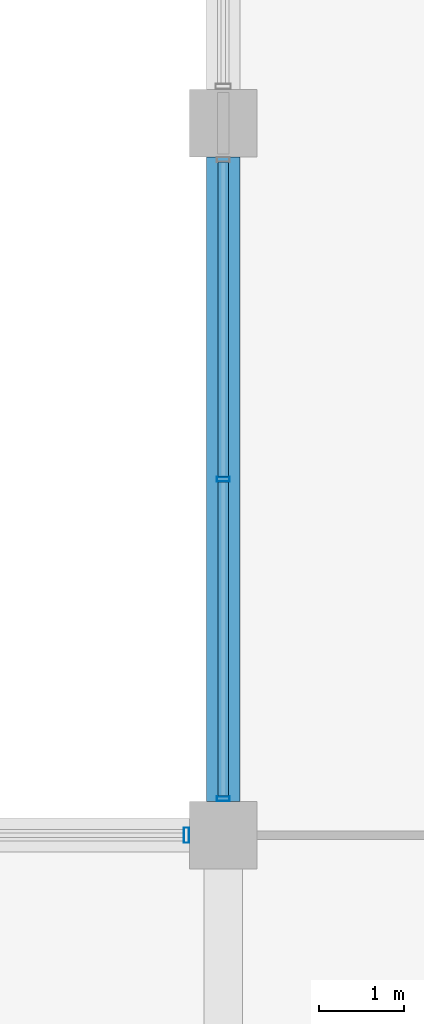
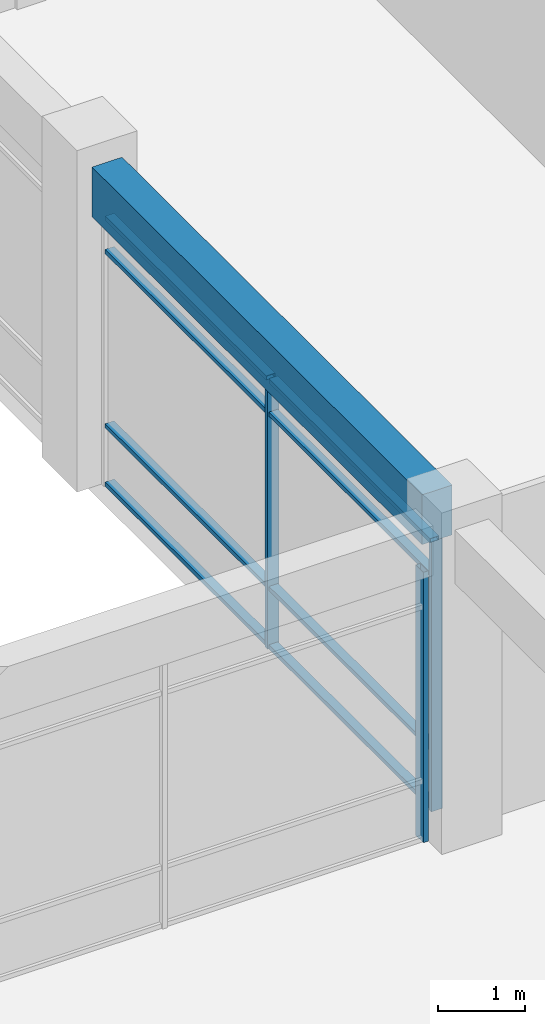
# One storey, part 31 of 62: 11 members, 1 beam, 2 elements without a shape of their own.
"""IFC4 building model written with IfcOpenShell, lengths in metres."""

from ifc_helpers import new_model, si_unit, direction, frame, origin, origin_2d, place, context, subcontext, project, spatial, rectangle, hollow_rectangle, extrude, material, material_profile, profile_set, type_object, element, aggregate, save


model = new_model("IFC4")

# Units and contexts
model_context = context("Model", 3, precision=1e-05, world=origin(), true_north=direction((0.0, 1.0)))
body_context = subcontext(model_context, "Body", "Model", "MODEL_VIEW")
ifc_project = project(units=[si_unit("LENGTHUNIT", "METRE"), si_unit("AREAUNIT", "SQUARE_METRE"), si_unit("VOLUMEUNIT", "CUBIC_METRE"), si_unit("PLANEANGLEUNIT", "RADIAN"), si_unit("MASSUNIT", "GRAM", prefix="KILO"), si_unit("THERMODYNAMICTEMPERATUREUNIT", "KELVIN"), si_unit("POWERUNIT", "WATT")], contexts=[model_context])

# Site, building, storey
site_placement = place(None, origin())
site = spatial("IfcSite", under=ifc_project, at=site_placement, CompositionType="ELEMENT")
building_placement = place(site_placement, origin())
building = spatial("IfcBuilding", under=site, at=building_placement, Name="Srebrne Nadtorze General Hospital", CompositionType="ELEMENT")
storey_placement = place(building_placement, frame((0.0, 0.0, 9.60009765625)))
storey = spatial("IfcBuildingStorey", under=building, at=storey_placement, Name="L02", CompositionType="ELEMENT", Elevation=9.60009765625)

# Curtain wall, members
ifc_material_1 = material(Name="Anodised Aluminium", Category="aluminium")
curtain_wall_type_1 = type_object("IfcCurtainWallType", Name="Unitised curtain wall 7600x3800", PredefinedType="NOTDEFINED", material=ifc_material_1)
curtain_wall_1_placement = place(storey_placement, origin())
curtain_wall_1 = element("IfcCurtainWall", 1, at=curtain_wall_1_placement, inside=storey, type_object=curtain_wall_type_1, Name="Curtain wall CW-088", PredefinedType="NOTDEFINED")
ifc_material_2 = material(Name="Anodised Aluminium", Category="aluminium")
ifc_material_profile_1 = material_profile(ifc_material_2, hollow_rectangle(XDim=0.06005859375, YDim=0.14990234375, WallThickness=0.00390625, at=origin_2d()), Name="AL-MUL-60x150")
ifc_profile_set_1 = profile_set([ifc_material_profile_1], Name="Anodised Aluminium")
member_type_1 = type_object("IfcMemberType", Name="Curtain mullion 60x150", PredefinedType="MULLION", material=ifc_profile_set_1)
member_1_placement = place(storey_placement, frame((132.60009765625, 8.830078125, 0.0), z_axis=(0.0, 0.0, 1.0), x_axis=(0.0, 1.0, 0.0)))
member_1 = element("IfcMember", 2, at=member_1_placement, type_object=member_type_1, Name="CW-088 mullion 1", PredefinedType="MULLION", context=body_context, shape_type="SweptSolid", body=[
    extrude(hollow_rectangle(XDim=0.06005859375, YDim=0.14990234375, WallThickness=0.00390625, at=origin_2d()), origin(), (0.0, 0.0, 1.0), 3.7998046875),
])
member_2_placement = place(storey_placement, frame((132.60009765625, 12.60009765625, 0.0), z_axis=(0.0, 0.0, 1.0), x_axis=(0.0, 1.0, 0.0)))
member_2 = element("IfcMember", 3, at=member_2_placement, type_object=member_type_1, Name="CW-088 mullion 2", PredefinedType="MULLION", context=body_context, shape_type="SweptSolid", body=[
    extrude(hollow_rectangle(XDim=0.06005859375, YDim=0.14990234375, WallThickness=0.00390625, at=origin_2d()), origin(), (0.0, 0.0, 1.0), 3.7998046875),
])

# Curtain wall, member
ifc_material_3 = material(Name="Anodised Aluminium", Category="aluminium")
curtain_wall_type_2 = type_object("IfcCurtainWallType", Name="Unitised curtain wall 7000x3800", PredefinedType="NOTDEFINED", material=ifc_material_3)
curtain_wall_2_placement = place(storey_placement, origin())
curtain_wall_2 = element("IfcCurtainWall", 4, at=curtain_wall_2_placement, inside=storey, type_object=curtain_wall_type_2, Name="Curtain wall CW-073", PredefinedType="NOTDEFINED")
ifc_material_4 = material(Name="Anodised Aluminium", Category="aluminium")
ifc_material_profile_2 = material_profile(ifc_material_4, hollow_rectangle(XDim=0.06494140625, YDim=0.179931640625, WallThickness=0.00390625, at=origin_2d()), Name="AL-MUL-65x180")
ifc_profile_set_2 = profile_set([ifc_material_profile_2], Name="Anodised Aluminium")
member_type_2 = type_object("IfcMemberType", Name="Curtain mullion 65x180", PredefinedType="MULLION", material=ifc_profile_set_2)
member_3_placement = place(storey_placement, frame((132.16748046875, 8.39990234375, 0.0), z_axis=(0.0, 0.0, 1.0), x_axis=(1.0, 0.0, 0.0)))
member_3 = element("IfcMember", 5, at=member_3_placement, type_object=member_type_2, Name="CW-073 mullion 3", PredefinedType="MULLION", context=body_context, shape_type="SweptSolid", body=[
    extrude(hollow_rectangle(XDim=0.06494140625, YDim=0.179931640625, WallThickness=0.00390625, at=origin_2d()), origin(), (0.0, 0.0, 1.0), 3.7998046875),
])
aggregate(curtain_wall_2, [member_3])

# Member
ifc_material_5 = material(Name="Anodised Aluminium", Category="aluminium")
ifc_material_profile_3 = material_profile(ifc_material_5, hollow_rectangle(XDim=0.06005859375, YDim=0.1201171875, WallThickness=0.00390625, at=origin_2d()), Name="AL-TRN-60x120")
ifc_profile_set_3 = profile_set([ifc_material_profile_3], Name="Anodised Aluminium")
member_type_3 = type_object("IfcMemberType", Name="Curtain transom 60x120", PredefinedType="USERDEFINED", material=ifc_profile_set_3)
member_4_placement = place(storey_placement, frame((132.60009765625, 8.860107421875, 0.02978515625), z_axis=(0.0, 1.0, 0.0), x_axis=(0.0, 0.0, 1.0)))
member_4 = element("IfcMember", 6, at=member_4_placement, type_object=member_type_3, Name="CW-088 transom 1.1", ObjectType="TRANSOM", PredefinedType="USERDEFINED", context=body_context, shape_type="SweptSolid", body=[
    extrude(hollow_rectangle(XDim=0.06005859375, YDim=0.1201171875, WallThickness=0.00390625, at=origin_2d()), origin(), (0.0, 0.0, 1.0), 3.7099609375),
])

member_5_placement = place(storey_placement, frame((132.60009765625, 8.860107421875, 0.849853515625), z_axis=(0.0, 1.0, 0.0), x_axis=(0.0, 0.0, 1.0)))
member_5 = element("IfcMember", 7, at=member_5_placement, type_object=member_type_3, Name="CW-088 transom 1.2", ObjectType="TRANSOM", PredefinedType="USERDEFINED", context=body_context, shape_type="SweptSolid", body=[
    extrude(hollow_rectangle(XDim=0.06005859375, YDim=0.1201171875, WallThickness=0.00390625, at=origin_2d()), origin(), (0.0, 0.0, 1.0), 3.7099609375),
])

member_6_placement = place(storey_placement, frame((132.60009765625, 8.860107421875, 3.2998046875), z_axis=(0.0, 1.0, 0.0), x_axis=(0.0, 0.0, 1.0)))
member_6 = element("IfcMember", 8, at=member_6_placement, type_object=member_type_3, Name="CW-088 transom 1.3", ObjectType="TRANSOM", PredefinedType="USERDEFINED", context=body_context, shape_type="SweptSolid", body=[
    extrude(hollow_rectangle(XDim=0.06005859375, YDim=0.1201171875, WallThickness=0.00390625, at=origin_2d()), origin(), (0.0, 0.0, 1.0), 3.7099609375),
])

member_7_placement = place(storey_placement, frame((132.60009765625, 8.860107421875, 3.77001953125), z_axis=(0.0, 1.0, 0.0), x_axis=(0.0, 0.0, 1.0)))
member_7 = element("IfcMember", 9, at=member_7_placement, type_object=member_type_3, Name="CW-088 transom 1.4", ObjectType="TRANSOM", PredefinedType="USERDEFINED", context=body_context, shape_type="SweptSolid", body=[
    extrude(hollow_rectangle(XDim=0.06005859375, YDim=0.1201171875, WallThickness=0.00390625, at=origin_2d()), origin(), (0.0, 0.0, 1.0), 3.7099609375),
])

member_8_placement = place(storey_placement, frame((132.60009765625, 12.6298828125, 0.02978515625), z_axis=(0.0, 1.0, 0.0), x_axis=(0.0, 0.0, 1.0)))
member_8 = element("IfcMember", 10, at=member_8_placement, type_object=member_type_3, Name="CW-088 transom 2.1", ObjectType="TRANSOM", PredefinedType="USERDEFINED", context=body_context, shape_type="SweptSolid", body=[
    extrude(hollow_rectangle(XDim=0.06005859375, YDim=0.1201171875, WallThickness=0.00390625, at=origin_2d()), origin(), (0.0, 0.0, 1.0), 3.710205078125),
])

member_9_placement = place(storey_placement, frame((132.60009765625, 12.6298828125, 0.849853515625), z_axis=(0.0, 1.0, 0.0), x_axis=(0.0, 0.0, 1.0)))
member_9 = element("IfcMember", 11, at=member_9_placement, type_object=member_type_3, Name="CW-088 transom 2.2", ObjectType="TRANSOM", PredefinedType="USERDEFINED", context=body_context, shape_type="SweptSolid", body=[
    extrude(hollow_rectangle(XDim=0.06005859375, YDim=0.1201171875, WallThickness=0.00390625, at=origin_2d()), origin(), (0.0, 0.0, 1.0), 3.710205078125),
])

member_10_placement = place(storey_placement, frame((132.60009765625, 12.6298828125, 3.2998046875), z_axis=(0.0, 1.0, 0.0), x_axis=(0.0, 0.0, 1.0)))
member_10 = element("IfcMember", 12, at=member_10_placement, type_object=member_type_3, Name="CW-088 transom 2.3", ObjectType="TRANSOM", PredefinedType="USERDEFINED", context=body_context, shape_type="SweptSolid", body=[
    extrude(hollow_rectangle(XDim=0.06005859375, YDim=0.1201171875, WallThickness=0.00390625, at=origin_2d()), origin(), (0.0, 0.0, 1.0), 3.710205078125),
])

member_11_placement = place(storey_placement, frame((132.60009765625, 12.6298828125, 3.77001953125), z_axis=(0.0, 1.0, 0.0), x_axis=(0.0, 0.0, 1.0)))
member_11 = element("IfcMember", 13, at=member_11_placement, type_object=member_type_3, Name="CW-088 transom 2.4", ObjectType="TRANSOM", PredefinedType="USERDEFINED", context=body_context, shape_type="SweptSolid", body=[
    extrude(hollow_rectangle(XDim=0.06005859375, YDim=0.1201171875, WallThickness=0.00390625, at=origin_2d()), origin(), (0.0, 0.0, 1.0), 3.710205078125),
])

aggregate(curtain_wall_1, [member_1, member_2, member_4, member_5, member_6, member_7, member_8, member_9, member_10, member_11])

# Beam
ifc_material_6 = material(Name="Concrete C40/50", Category="concrete")
ifc_material_profile_4 = material_profile(ifc_material_6, rectangle(XDim=0.39990234375, YDim=0.699951171875, at=origin_2d()), Name="RC-BM-400x700")
ifc_profile_set_4 = profile_set([ifc_material_profile_4], Name="Concrete C40/50")
beam_type = type_object("IfcBeamType", Name="Edge beam RC 400x700", PredefinedType="BEAM", material=ifc_profile_set_4)
beam_placement = place(storey_placement, frame((132.60009765625, 8.800048828125, 4.14990234375), z_axis=(0.0, 1.0, 0.0), x_axis=(-1.0, 0.0, 0.0)))
element("IfcBeam", 14, at=beam_placement, inside=storey, type_object=beam_type, Name="Beam BM-L02-Y-0694", PredefinedType="BEAM", context=body_context, shape_type="SweptSolid", body=[
    extrude(rectangle(XDim=0.39990234375, YDim=0.699951171875, at=origin_2d()), origin(), (0.0, 0.0, 1.0), 7.599853515625),
])

save(model, "model.ifc")
